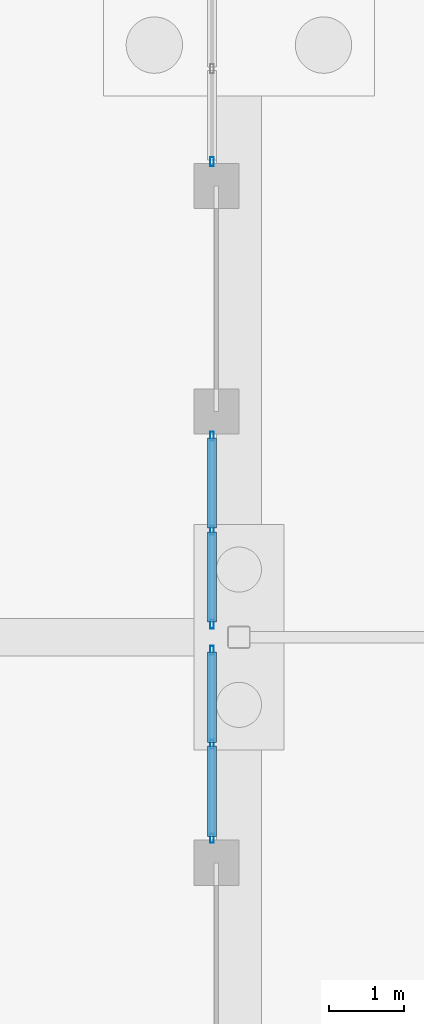
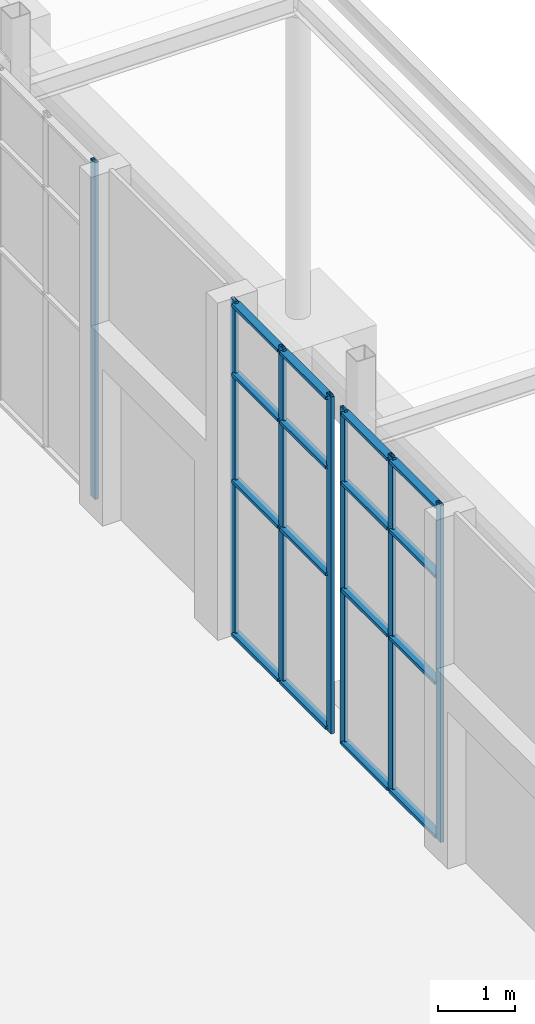
# One storey, part 86 of 139: 23 members, 3 elements without a shape of their own.
"""IFC4 building model written with IfcOpenShell, lengths in metres."""

from ifc_helpers import new_model, si_unit, direction, frame, origin, origin_2d, place, context, subcontext, project, spatial, hollow_rectangle, extrude, material, layer, layer_set, material_profile, profile_set, type_object, element, aggregate, save


model = new_model("IFC4")

# Units and contexts
model_context = context("Model", 3, precision=1e-05, world=origin(), true_north=direction((0.0, 1.0)))
body_context = subcontext(model_context, "Body", "Model", "MODEL_VIEW")
ifc_project = project(units=[si_unit("LENGTHUNIT", "METRE"), si_unit("AREAUNIT", "SQUARE_METRE"), si_unit("VOLUMEUNIT", "CUBIC_METRE"), si_unit("PLANEANGLEUNIT", "RADIAN"), si_unit("MASSUNIT", "GRAM", prefix="KILO")], contexts=[model_context])

# Site, building, storey
site_placement = place(None, origin())
site = spatial("IfcSite", under=ifc_project, at=site_placement, CompositionType="ELEMENT")
building_placement = place(site_placement, origin())
building = spatial("IfcBuilding", under=site, at=building_placement, Name="Shorebreak Coast Museum", CompositionType="ELEMENT")
storey_placement = place(building_placement, origin())
storey = spatial("IfcBuildingStorey", under=building, at=storey_placement, Name="L00", CompositionType="ELEMENT", Elevation=0.0)

# Curtain wall, members
ifc_material_1 = material(Name="Aluminium", Category="aluminium")
ifc_layer = layer(ifc_material_1, 0.1201171875)
ifc_layer_set = layer_set([ifc_layer], Name="Aluminium")
curtain_wall_type = type_object("IfcCurtainWallType", Name="Entrance sidelight curtain wall", PredefinedType="NOTDEFINED", material=ifc_layer_set)
curtain_wall_1_placement = place(storey_placement, origin())
curtain_wall_1 = element("IfcCurtainWall", 1, at=curtain_wall_1_placement, inside=storey, type_object=curtain_wall_type, Name="Entrance glazing ENT-E 12", PredefinedType="NOTDEFINED")
ifc_material_2 = material(Name="Aluminium", Category="aluminium")
ifc_material_profile_1 = material_profile(ifc_material_2, hollow_rectangle(XDim=0.050048828125, YDim=0.1201171875, WallThickness=0.0029296875, at=origin_2d()), Name="AL 120x50 RHS")
ifc_profile_set_1 = profile_set([ifc_material_profile_1], Name="Aluminium")
member_type_1 = type_object("IfcMemberType", Name="Entrance mullion 50 x 120", PredefinedType="MULLION", material=ifc_profile_set_1)
member_1_placement = place(storey_placement, frame((170.6416015625, 69.324951171875, 0.0), z_axis=(0.0, 0.0, 1.0), x_axis=(-1.0, 0.0, 0.0)))
member_1 = element("IfcMember", 2, at=member_1_placement, type_object=member_type_1, Name="CW1 mullion 1", PredefinedType="MULLION", context=body_context, shape_type="SweptSolid", body=[
    extrude(hollow_rectangle(XDim=0.050048828125, YDim=0.1201171875, WallThickness=0.0029296875, at=origin_2d()), origin(), (0.0, 0.0, 1.0), 5.364501953125),
])
member_2_placement = place(storey_placement, frame((170.6416015625, 70.574951171875, 0.0), z_axis=(0.0, 0.0, 1.0), x_axis=(-1.0, 0.0, 0.0)))
member_2 = element("IfcMember", 3, at=member_2_placement, type_object=member_type_1, Name="CW1 mullion 2", PredefinedType="MULLION", context=body_context, shape_type="SweptSolid", body=[
    extrude(hollow_rectangle(XDim=0.050048828125, YDim=0.1201171875, WallThickness=0.0029296875, at=origin_2d()), origin(), (0.0, 0.0, 1.0), 5.364501953125),
])
member_3_placement = place(storey_placement, frame((170.6416015625, 71.824951171875, 0.0), z_axis=(0.0, 0.0, 1.0), x_axis=(-1.0, 0.0, 0.0)))
member_3 = element("IfcMember", 4, at=member_3_placement, type_object=member_type_1, Name="CW1 mullion 3", PredefinedType="MULLION", context=body_context, shape_type="SweptSolid", body=[
    extrude(hollow_rectangle(XDim=0.050048828125, YDim=0.1201171875, WallThickness=0.0029296875, at=origin_2d()), origin(), (0.0, 0.0, 1.0), 5.364501953125),
])

curtain_wall_2_placement = place(storey_placement, origin())
curtain_wall_2 = element("IfcCurtainWall", 5, at=curtain_wall_2_placement, inside=storey, type_object=curtain_wall_type, Name="Entrance glazing ENT-E 13", PredefinedType="NOTDEFINED")
member_4_placement = place(storey_placement, frame((170.6416015625, 72.175048828125, 0.0), z_axis=(0.0, 0.0, 1.0), x_axis=(-1.0, 0.0, 0.0)))
member_4 = element("IfcMember", 6, at=member_4_placement, type_object=member_type_1, Name="CW2 mullion 1", PredefinedType="MULLION", context=body_context, shape_type="SweptSolid", body=[
    extrude(hollow_rectangle(XDim=0.050048828125, YDim=0.1201171875, WallThickness=0.0029296875, at=origin_2d()), origin(), (0.0, 0.0, 1.0), 5.364501953125),
])
member_5_placement = place(storey_placement, frame((170.6416015625, 73.425048828125, 0.0), z_axis=(0.0, 0.0, 1.0), x_axis=(-1.0, 0.0, 0.0)))
member_5 = element("IfcMember", 7, at=member_5_placement, type_object=member_type_1, Name="CW2 mullion 2", PredefinedType="MULLION", context=body_context, shape_type="SweptSolid", body=[
    extrude(hollow_rectangle(XDim=0.050048828125, YDim=0.1201171875, WallThickness=0.0029296875, at=origin_2d()), origin(), (0.0, 0.0, 1.0), 5.364501953125),
])
member_6_placement = place(storey_placement, frame((170.6416015625, 74.675048828125, 0.0), z_axis=(0.0, 0.0, 1.0), x_axis=(-1.0, 0.0, 0.0)))
member_6 = element("IfcMember", 8, at=member_6_placement, type_object=member_type_1, Name="CW2 mullion 3", PredefinedType="MULLION", context=body_context, shape_type="SweptSolid", body=[
    extrude(hollow_rectangle(XDim=0.050048828125, YDim=0.1201171875, WallThickness=0.0029296875, at=origin_2d()), origin(), (0.0, 0.0, 1.0), 5.364501953125),
])

# Curtain wall, member
curtain_wall_3_placement = place(storey_placement, origin())
curtain_wall_3 = element("IfcCurtainWall", 9, at=curtain_wall_3_placement, inside=storey, type_object=curtain_wall_type, Name="Entrance glazing ENT-E 14", PredefinedType="NOTDEFINED")
member_7_placement = place(storey_placement, frame((170.6416015625, 78.324951171875, 0.0), z_axis=(0.0, 0.0, 1.0), x_axis=(-1.0, 0.0, 0.0)))
member_7 = element("IfcMember", 10, at=member_7_placement, type_object=member_type_1, Name="CW1 mullion 1", PredefinedType="MULLION", context=body_context, shape_type="SweptSolid", body=[
    extrude(hollow_rectangle(XDim=0.050048828125, YDim=0.1201171875, WallThickness=0.0029296875, at=origin_2d()), origin(), (0.0, 0.0, 1.0), 5.364501953125),
])
aggregate(curtain_wall_3, [member_7])

# Member
ifc_material_3 = material(Name="Aluminium", Category="aluminium")
ifc_material_profile_2 = material_profile(ifc_material_3, hollow_rectangle(XDim=0.1201171875, YDim=0.050048828125, WallThickness=0.0029296875, at=origin_2d()), Name="AL 50x120 RHS")
ifc_profile_set_2 = profile_set([ifc_material_profile_2], Name="Aluminium")
member_type_2 = type_object("IfcMemberType", Name="Entrance transom 120 x 50", PredefinedType="USERDEFINED", material=ifc_profile_set_2)
member_8_placement = place(storey_placement, frame((170.6416015625, 69.35009765625, 0.06005859375), z_axis=(0.0, 1.0, 0.0), x_axis=(-1.0, 0.0, 0.0)))
member_8 = element("IfcMember", 11, at=member_8_placement, type_object=member_type_2, Name="CW1 transom 1.1", ObjectType="TRANSOM", PredefinedType="USERDEFINED", context=body_context, shape_type="SweptSolid", body=[
    extrude(hollow_rectangle(XDim=0.1201171875, YDim=0.050048828125, WallThickness=0.0029296875, at=origin_2d()), origin(), (0.0, 0.0, 1.0), 1.199951171875),
])

member_9_placement = place(storey_placement, frame((170.6416015625, 69.35009765625, 2.5), z_axis=(0.0, 1.0, 0.0), x_axis=(-1.0, 0.0, 0.0)))
member_9 = element("IfcMember", 12, at=member_9_placement, type_object=member_type_2, Name="CW1 transom 1.2", ObjectType="TRANSOM", PredefinedType="USERDEFINED", context=body_context, shape_type="SweptSolid", body=[
    extrude(hollow_rectangle(XDim=0.1201171875, YDim=0.050048828125, WallThickness=0.0029296875, at=origin_2d()), origin(), (0.0, 0.0, 1.0), 1.199951171875),
])

member_10_placement = place(storey_placement, frame((170.6416015625, 69.35009765625, 4.199951171875), z_axis=(0.0, 1.0, 0.0), x_axis=(-1.0, 0.0, 0.0)))
member_10 = element("IfcMember", 13, at=member_10_placement, type_object=member_type_2, Name="CW1 transom 1.3", ObjectType="TRANSOM", PredefinedType="USERDEFINED", context=body_context, shape_type="SweptSolid", body=[
    extrude(hollow_rectangle(XDim=0.1201171875, YDim=0.050048828125, WallThickness=0.0029296875, at=origin_2d()), origin(), (0.0, 0.0, 1.0), 1.199951171875),
])

member_11_placement = place(storey_placement, frame((170.6416015625, 69.35009765625, 5.3046875), z_axis=(0.0, 1.0, 0.0), x_axis=(-1.0, 0.0, 0.0)))
member_11 = element("IfcMember", 14, at=member_11_placement, type_object=member_type_2, Name="CW1 transom 1.4", ObjectType="TRANSOM", PredefinedType="USERDEFINED", context=body_context, shape_type="SweptSolid", body=[
    extrude(hollow_rectangle(XDim=0.1201171875, YDim=0.050048828125, WallThickness=0.0029296875, at=origin_2d()), origin(), (0.0, 0.0, 1.0), 1.199951171875),
])

member_12_placement = place(storey_placement, frame((170.6416015625, 70.60009765625, 0.06005859375), z_axis=(0.0, 1.0, 0.0), x_axis=(-1.0, 0.0, 0.0)))
member_12 = element("IfcMember", 15, at=member_12_placement, type_object=member_type_2, Name="CW1 transom 2.1", ObjectType="TRANSOM", PredefinedType="USERDEFINED", context=body_context, shape_type="SweptSolid", body=[
    extrude(hollow_rectangle(XDim=0.1201171875, YDim=0.050048828125, WallThickness=0.0029296875, at=origin_2d()), origin(), (0.0, 0.0, 1.0), 1.199951171875),
])

member_13_placement = place(storey_placement, frame((170.6416015625, 70.60009765625, 2.5), z_axis=(0.0, 1.0, 0.0), x_axis=(-1.0, 0.0, 0.0)))
member_13 = element("IfcMember", 16, at=member_13_placement, type_object=member_type_2, Name="CW1 transom 2.2", ObjectType="TRANSOM", PredefinedType="USERDEFINED", context=body_context, shape_type="SweptSolid", body=[
    extrude(hollow_rectangle(XDim=0.1201171875, YDim=0.050048828125, WallThickness=0.0029296875, at=origin_2d()), origin(), (0.0, 0.0, 1.0), 1.199951171875),
])

member_14_placement = place(storey_placement, frame((170.6416015625, 70.60009765625, 4.199951171875), z_axis=(0.0, 1.0, 0.0), x_axis=(-1.0, 0.0, 0.0)))
member_14 = element("IfcMember", 17, at=member_14_placement, type_object=member_type_2, Name="CW1 transom 2.3", ObjectType="TRANSOM", PredefinedType="USERDEFINED", context=body_context, shape_type="SweptSolid", body=[
    extrude(hollow_rectangle(XDim=0.1201171875, YDim=0.050048828125, WallThickness=0.0029296875, at=origin_2d()), origin(), (0.0, 0.0, 1.0), 1.199951171875),
])

member_15_placement = place(storey_placement, frame((170.6416015625, 70.60009765625, 5.3046875), z_axis=(0.0, 1.0, 0.0), x_axis=(-1.0, 0.0, 0.0)))
member_15 = element("IfcMember", 18, at=member_15_placement, type_object=member_type_2, Name="CW1 transom 2.4", ObjectType="TRANSOM", PredefinedType="USERDEFINED", context=body_context, shape_type="SweptSolid", body=[
    extrude(hollow_rectangle(XDim=0.1201171875, YDim=0.050048828125, WallThickness=0.0029296875, at=origin_2d()), origin(), (0.0, 0.0, 1.0), 1.199951171875),
])

aggregate(curtain_wall_1, [member_1, member_2, member_3, member_8, member_9, member_10, member_11, member_12, member_13, member_14, member_15])

member_16_placement = place(storey_placement, frame((170.6416015625, 72.199951171875, 0.06005859375), z_axis=(0.0, 1.0, 0.0), x_axis=(-1.0, 0.0, 0.0)))
member_16 = element("IfcMember", 19, at=member_16_placement, type_object=member_type_2, Name="CW2 transom 1.1", ObjectType="TRANSOM", PredefinedType="USERDEFINED", context=body_context, shape_type="SweptSolid", body=[
    extrude(hollow_rectangle(XDim=0.1201171875, YDim=0.050048828125, WallThickness=0.0029296875, at=origin_2d()), origin(), (0.0, 0.0, 1.0), 1.199951171875),
])

member_17_placement = place(storey_placement, frame((170.6416015625, 72.199951171875, 2.5), z_axis=(0.0, 1.0, 0.0), x_axis=(-1.0, 0.0, 0.0)))
member_17 = element("IfcMember", 20, at=member_17_placement, type_object=member_type_2, Name="CW2 transom 1.2", ObjectType="TRANSOM", PredefinedType="USERDEFINED", context=body_context, shape_type="SweptSolid", body=[
    extrude(hollow_rectangle(XDim=0.1201171875, YDim=0.050048828125, WallThickness=0.0029296875, at=origin_2d()), origin(), (0.0, 0.0, 1.0), 1.199951171875),
])

member_18_placement = place(storey_placement, frame((170.6416015625, 72.199951171875, 4.199951171875), z_axis=(0.0, 1.0, 0.0), x_axis=(-1.0, 0.0, 0.0)))
member_18 = element("IfcMember", 21, at=member_18_placement, type_object=member_type_2, Name="CW2 transom 1.3", ObjectType="TRANSOM", PredefinedType="USERDEFINED", context=body_context, shape_type="SweptSolid", body=[
    extrude(hollow_rectangle(XDim=0.1201171875, YDim=0.050048828125, WallThickness=0.0029296875, at=origin_2d()), origin(), (0.0, 0.0, 1.0), 1.199951171875),
])

member_19_placement = place(storey_placement, frame((170.6416015625, 72.199951171875, 5.3046875), z_axis=(0.0, 1.0, 0.0), x_axis=(-1.0, 0.0, 0.0)))
member_19 = element("IfcMember", 22, at=member_19_placement, type_object=member_type_2, Name="CW2 transom 1.4", ObjectType="TRANSOM", PredefinedType="USERDEFINED", context=body_context, shape_type="SweptSolid", body=[
    extrude(hollow_rectangle(XDim=0.1201171875, YDim=0.050048828125, WallThickness=0.0029296875, at=origin_2d()), origin(), (0.0, 0.0, 1.0), 1.199951171875),
])

member_20_placement = place(storey_placement, frame((170.6416015625, 73.449951171875, 0.06005859375), z_axis=(0.0, 1.0, 0.0), x_axis=(-1.0, 0.0, 0.0)))
member_20 = element("IfcMember", 23, at=member_20_placement, type_object=member_type_2, Name="CW2 transom 2.1", ObjectType="TRANSOM", PredefinedType="USERDEFINED", context=body_context, shape_type="SweptSolid", body=[
    extrude(hollow_rectangle(XDim=0.1201171875, YDim=0.050048828125, WallThickness=0.0029296875, at=origin_2d()), origin(), (0.0, 0.0, 1.0), 1.199951171875),
])

member_21_placement = place(storey_placement, frame((170.6416015625, 73.449951171875, 2.5), z_axis=(0.0, 1.0, 0.0), x_axis=(-1.0, 0.0, 0.0)))
member_21 = element("IfcMember", 24, at=member_21_placement, type_object=member_type_2, Name="CW2 transom 2.2", ObjectType="TRANSOM", PredefinedType="USERDEFINED", context=body_context, shape_type="SweptSolid", body=[
    extrude(hollow_rectangle(XDim=0.1201171875, YDim=0.050048828125, WallThickness=0.0029296875, at=origin_2d()), origin(), (0.0, 0.0, 1.0), 1.199951171875),
])

member_22_placement = place(storey_placement, frame((170.6416015625, 73.449951171875, 4.199951171875), z_axis=(0.0, 1.0, 0.0), x_axis=(-1.0, 0.0, 0.0)))
member_22 = element("IfcMember", 25, at=member_22_placement, type_object=member_type_2, Name="CW2 transom 2.3", ObjectType="TRANSOM", PredefinedType="USERDEFINED", context=body_context, shape_type="SweptSolid", body=[
    extrude(hollow_rectangle(XDim=0.1201171875, YDim=0.050048828125, WallThickness=0.0029296875, at=origin_2d()), origin(), (0.0, 0.0, 1.0), 1.199951171875),
])

member_23_placement = place(storey_placement, frame((170.6416015625, 73.449951171875, 5.3046875), z_axis=(0.0, 1.0, 0.0), x_axis=(-1.0, 0.0, 0.0)))
member_23 = element("IfcMember", 26, at=member_23_placement, type_object=member_type_2, Name="CW2 transom 2.4", ObjectType="TRANSOM", PredefinedType="USERDEFINED", context=body_context, shape_type="SweptSolid", body=[
    extrude(hollow_rectangle(XDim=0.1201171875, YDim=0.050048828125, WallThickness=0.0029296875, at=origin_2d()), origin(), (0.0, 0.0, 1.0), 1.199951171875),
])

aggregate(curtain_wall_2, [member_4, member_5, member_6, member_16, member_17, member_18, member_19, member_20, member_21, member_22, member_23])

save(model, "model.ifc")
